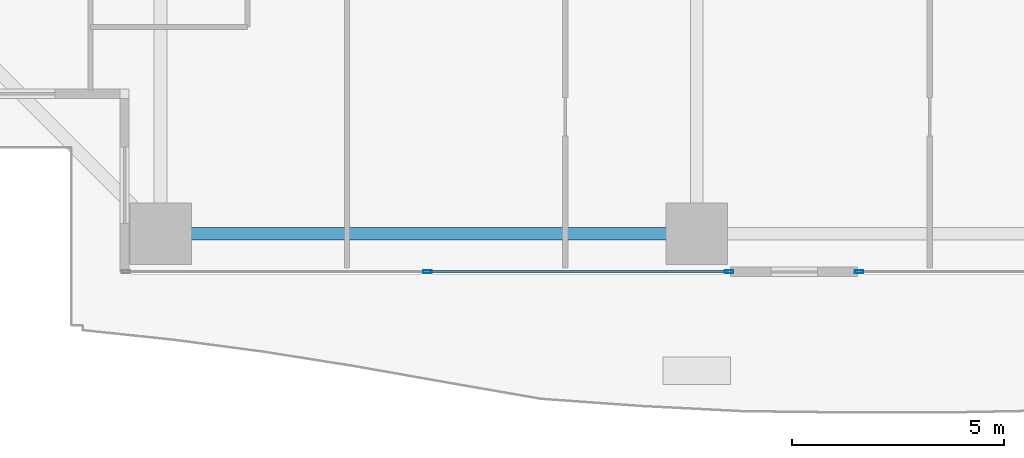
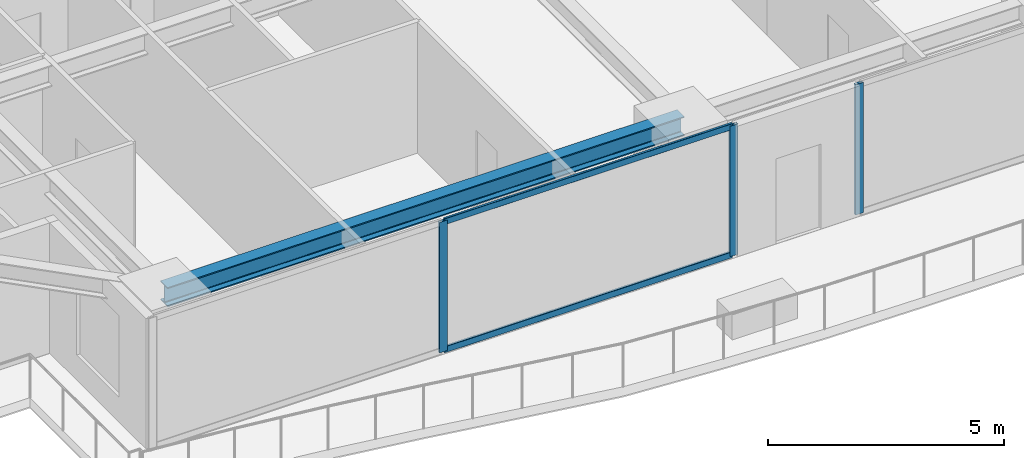
# One storey, part 5 of 40: 5 members, 1 beam, 2 elements without a shape of their own.
"""IFC4 building model written with IfcOpenShell, lengths in metres."""

from ifc_helpers import new_model, si_unit, direction, frame, origin, origin_2d, place, context, subcontext, project, spatial, hollow_rectangle, i_section, extrude, source, transform, mapped, material, layer, layer_set, material_profile, profile_set, type_object, element, aggregate, save


model = new_model("IFC4")

# Units and contexts
model_context = context("Model", 3, precision=1e-05, world=origin(), true_north=direction((0.0, 1.0)))
body_context = subcontext(model_context, "Body", "Model", "MODEL_VIEW")
ifc_project = project(units=[si_unit("LENGTHUNIT", "METRE"), si_unit("AREAUNIT", "SQUARE_METRE"), si_unit("VOLUMEUNIT", "CUBIC_METRE"), si_unit("PLANEANGLEUNIT", "RADIAN"), si_unit("MASSUNIT", "GRAM", prefix="KILO")], contexts=[model_context])

# Site, building, storey
site_placement = place(None, origin())
site = spatial("IfcSite", under=ifc_project, at=site_placement, CompositionType="ELEMENT")
building_placement = place(site_placement, origin())
building = spatial("IfcBuilding", under=site, at=building_placement, Name="Serunith Strait Residences", CompositionType="ELEMENT")
storey_placement = place(building_placement, frame((0.0, 0.0, 105.449951171875)))
storey = spatial("IfcBuildingStorey", under=building, at=storey_placement, Name="L26", CompositionType="ELEMENT", Elevation=105.449951171875)

# Beam
ifc_material_1 = material(Name="Steel S355J2", Category="steel")
ifc_material_profile_1 = material_profile(ifc_material_1, i_section(OverallWidth=0.300048828125, OverallDepth=0.5, WebThickness=0.014404296875, FlangeThickness=0.028076171875, FilletRadius=0.027099609375, at=origin_2d()), Name="HEB 500")
ifc_profile_set_1 = profile_set([ifc_material_profile_1], Name="Steel S355J2")
beam_type = type_object("IfcBeamType", Name="BM-HEB500", PredefinedType="BEAM", material=ifc_profile_set_1)
shared_shape_1 = source(origin(), body_context, "Body", "SweptSolid", [
    extrude(i_section(OverallWidth=0.300048828125, OverallDepth=0.5, WebThickness=0.014404296875, FlangeThickness=0.028076171875, FilletRadius=0.027099609375, at=origin_2d()), origin(), (0.0, 0.0, 1.0), 12.64990234375),
])
beam_placement = place(storey_placement, frame((15.25, 1.10009765625, 3.136962890625), z_axis=(1.0, 0.0, 0.0), x_axis=(0.0, 1.0, 0.0)))
element("IfcBeam", 1, at=beam_placement, inside=storey, type_object=beam_type, Name="L26 Perimeter Ring Beam 01", PredefinedType="BEAM", context=body_context, shape_type="MappedRepresentation", body=[
    mapped(shared_shape_1, transform((0.0, 0.0, 0.0), scale=1.0)),
])

# Curtain wall, members
ifc_material_2 = material(Name="Pale-Champagne Anodised Aluminium", Category="aluminium")
ifc_layer = layer(ifc_material_2, 0.199951171875, Name="Pale-Champagne Anodised Aluminium")
ifc_layer_set = layer_set([ifc_layer], Name="Pale-Champagne Anodised Aluminium")
curtain_wall_type = type_object("IfcCurtainWallType", Name="CW-SYS1", PredefinedType="NOTDEFINED", material=ifc_layer_set)
curtain_wall_1_placement = place(storey_placement, origin())
curtain_wall_1 = element("IfcCurtainWall", 2, at=curtain_wall_1_placement, inside=storey, type_object=curtain_wall_type, Name="L26 S Unitised Fritted Curtain Wall", PredefinedType="NOTDEFINED")
ifc_material_profile_2 = material_profile(ifc_material_2, hollow_rectangle(XDim=0.06005859375, YDim=0.159912109375, WallThickness=0.00341796875, InnerFilletRadius=0.00537109375, OuterFilletRadius=0.0087890625, at=origin_2d()), Name="ALU 160x60x3.5")
ifc_profile_set_2 = profile_set([ifc_material_profile_2], Name="Pale-Champagne Anodised Aluminium")
member_type_1 = type_object("IfcMemberType", Name="CW-SYS1-TRAN", PredefinedType="USERDEFINED", material=ifc_profile_set_2)
shared_shape_2 = source(origin(), body_context, "Body", "SweptSolid", [
    extrude(hollow_rectangle(XDim=0.06005859375, YDim=0.159912109375, WallThickness=0.00341796875, InnerFilletRadius=0.00537109375, OuterFilletRadius=0.0087890625, at=origin_2d()), origin(), (0.0, 0.0, 1.0), 7.044921875),
])
member_1_placement = place(storey_placement, frame((21.5849609375, 0.199951171875, 0.030029296875), z_axis=(1.0, 0.0, 0.0), x_axis=(0.0, 1.0, 0.0)))
member_1 = element("IfcMember", 3, at=member_1_placement, type_object=member_type_1, Name="CW-1 transom 2.1", ObjectType="TRANSOM", PredefinedType="USERDEFINED", context=body_context, shape_type="MappedRepresentation", body=[
    mapped(shared_shape_2, transform((0.0, 0.0, 0.0), scale=1.0)),
])
member_2_placement = place(storey_placement, frame((21.5849609375, 0.199951171875, 3.344970703125), z_axis=(1.0, 0.0, 0.0), x_axis=(0.0, 1.0, 0.0)))
member_2 = element("IfcMember", 4, at=member_2_placement, type_object=member_type_1, Name="CW-1 transom 2.2", ObjectType="TRANSOM", PredefinedType="USERDEFINED", context=body_context, shape_type="MappedRepresentation", body=[
    mapped(shared_shape_2, transform((0.0, 0.0, 0.0), scale=1.0)),
])
ifc_material_profile_3 = material_profile(ifc_material_2, hollow_rectangle(XDim=0.070068359375, YDim=0.199951171875, WallThickness=0.00390625, InnerFilletRadius=0.006103515625, OuterFilletRadius=0.010009765625, at=origin_2d()), Name="ALU 200x70x4")
ifc_profile_set_3 = profile_set([ifc_material_profile_3], Name="Pale-Champagne Anodised Aluminium")
member_type_2 = type_object("IfcMemberType", Name="CW-SYS1-MULL", PredefinedType="MULLION", material=ifc_profile_set_3)
shared_shape_3 = source(origin(), body_context, "Body", "SweptSolid", [
    extrude(hollow_rectangle(XDim=0.070068359375, YDim=0.199951171875, WallThickness=0.00390625, InnerFilletRadius=0.006103515625, OuterFilletRadius=0.010009765625, at=origin_2d()), origin(), (0.0, 0.0, 1.0), 3.375),
])
member_3_placement = place(storey_placement, frame((21.550048828125, 0.199951171875, 0.0), z_axis=(0.0, 0.0, 1.0), x_axis=(0.0, 1.0, 0.0)))
member_3 = element("IfcMember", 5, at=member_3_placement, type_object=member_type_2, Name="CW-1 mullion 2", PredefinedType="MULLION", context=body_context, shape_type="MappedRepresentation", body=[
    mapped(shared_shape_3, transform((0.0, 0.0, 0.0), scale=1.0)),
])
member_4_placement = place(storey_placement, frame((28.6650390625, 0.199951171875, 0.0), z_axis=(0.0, 0.0, 1.0), x_axis=(0.0, 1.0, 0.0)))
member_4 = element("IfcMember", 6, at=member_4_placement, type_object=member_type_2, Name="CW-1 mullion 3", PredefinedType="MULLION", context=body_context, shape_type="MappedRepresentation", body=[
    mapped(shared_shape_3, transform((0.0, 0.0, 0.0), scale=1.0)),
])
aggregate(curtain_wall_1, [member_3, member_4, member_1, member_2])

# Curtain wall, member
curtain_wall_2_placement = place(storey_placement, origin())
curtain_wall_2 = element("IfcCurtainWall", 7, at=curtain_wall_2_placement, inside=storey, type_object=curtain_wall_type, Name="L26 S Unitised Fritted Curtain Wall", PredefinedType="NOTDEFINED")
member_5_placement = place(storey_placement, frame((31.735107421875, 0.199951171875, 0.0), z_axis=(0.0, 0.0, 1.0), x_axis=(0.0, 1.0, 0.0)))
member_5 = element("IfcMember", 8, at=member_5_placement, type_object=member_type_2, Name="CW-1 mullion 1", PredefinedType="MULLION", context=body_context, shape_type="MappedRepresentation", body=[
    mapped(shared_shape_3, transform((0.0, 0.0, 0.0), scale=1.0)),
])
aggregate(curtain_wall_2, [member_5])

save(model, "model.ifc")
